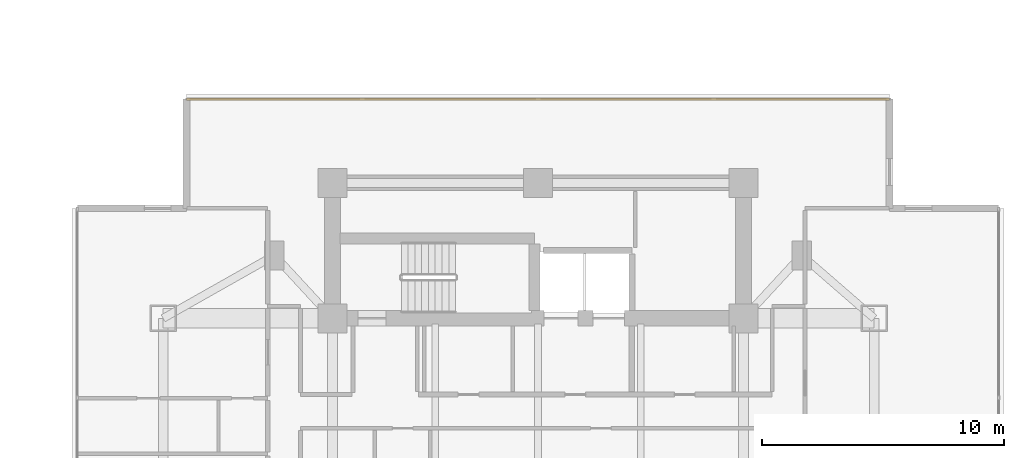
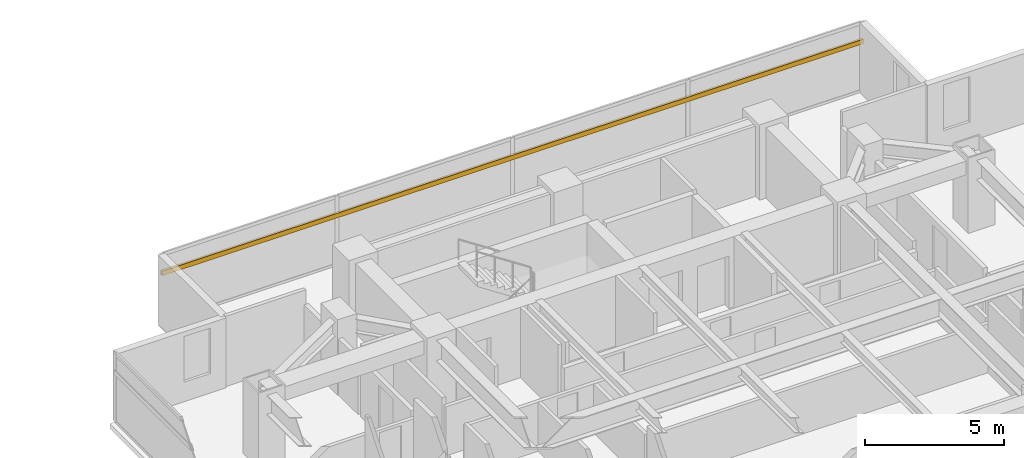
# One storey, part 26 of 26: 1 shading device.
"""IFC4 building model written with IfcOpenShell, lengths in metres."""

from ifc_helpers import new_model, si_unit, direction, frame, origin, origin_2d, place, context, subcontext, project, spatial, rectangle, extrude, material, material_profile, profile_set, type_object, element, save


model = new_model("IFC4")

# Units and contexts
model_context = context("Model", 3, precision=1e-05, world=origin(), true_north=direction((0.0, 1.0)))
body_context = subcontext(model_context, "Body", "Model", "MODEL_VIEW")
ifc_project = project(units=[si_unit("LENGTHUNIT", "METRE"), si_unit("AREAUNIT", "SQUARE_METRE"), si_unit("VOLUMEUNIT", "CUBIC_METRE"), si_unit("PLANEANGLEUNIT", "RADIAN"), si_unit("MASSUNIT", "GRAM", prefix="KILO")], contexts=[model_context])

# Site, building, storey
site_placement = place(None, origin())
site = spatial("IfcSite", under=ifc_project, at=site_placement, CompositionType="ELEMENT")
building_placement = place(site_placement, origin())
building = spatial("IfcBuilding", under=site, at=building_placement, Name="Mirazonda Arch Towers", CompositionType="ELEMENT")
storey_placement = place(building_placement, frame((0.0, 0.0, 114.800048828125)))
storey = spatial("IfcBuildingStorey", under=building, at=storey_placement, Name="L32", CompositionType="ELEMENT", Elevation=114.800048828125)

# Shading device
ifc_material = material(Name="Kiln-Fired Architectural Terracotta", Category="masonry")
ifc_material_profile = material_profile(ifc_material, rectangle(XDim=0.10009765625, YDim=0.199951171875, at=origin_2d()), Name="TERRA-BAG-100x200")
ifc_profile_set = profile_set([ifc_material_profile], Name="Kiln-Fired Architectural Terracotta")
shading_device_type = type_object("IfcShadingDeviceType", Name="BAGUETTE-2", PredefinedType="USERDEFINED", material=ifc_profile_set)
shading_device_placement = place(storey_placement, frame((61.9697265625, 44.263916015625, 2.203125), z_axis=(1.0, 0.0, 0.0), x_axis=(0.0, 1.0, 0.0)))
element("IfcShadingDevice", 1, at=shading_device_placement, inside=storey, type_object=shading_device_type, Name="L32 Glazed Terracotta Sun-Screen Baguette CW-L32-T2-N", ObjectType="BAGUETTE", PredefinedType="USERDEFINED", context=body_context, shape_type="SweptSolid", body=[
    extrude(rectangle(XDim=0.10009765625, YDim=0.199951171875, at=origin_2d()), origin(), (0.0, 0.0, 1.0), 29.060546875),
])

save(model, "model.ifc")
